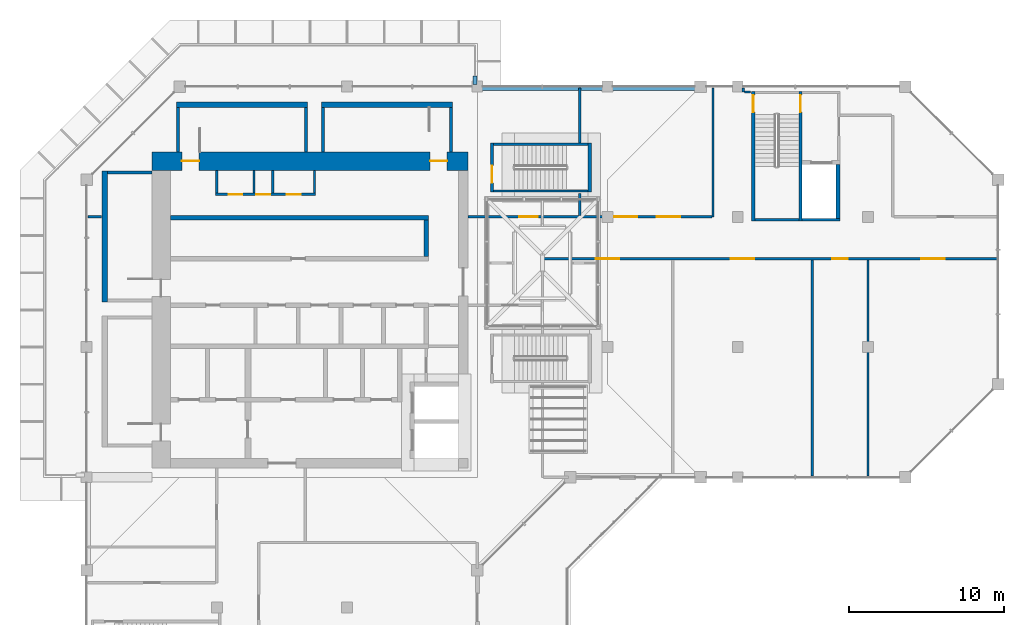
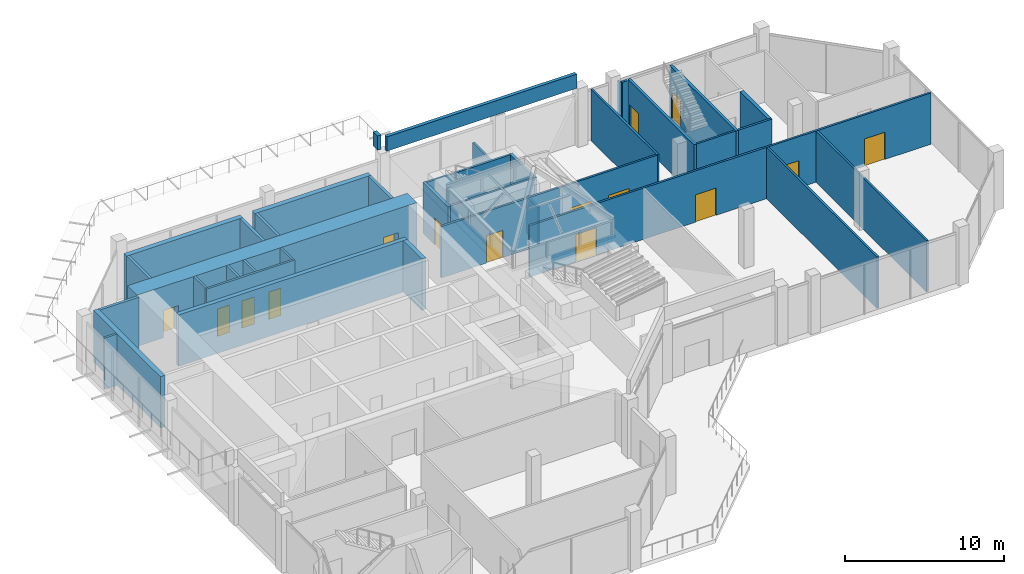
# One storey, part 10 of 15: 37 walls, 15 doors, 15 openings.
"""IFC4 building model written with IfcOpenShell, lengths in metres."""

from ifc_helpers import new_model, si_unit, direction, frame, frame_2d, origin, place, context, subcontext, project, spatial, rectangle, extrude, material, layer, layer_set, type_object, element, fill, save


model = new_model("IFC4")

# Units and contexts
model_context = context("Model", 3, precision=1e-05, world=origin(), true_north=direction((0.0, 1.0)))
body_context = subcontext(model_context, "Body", "Model", "MODEL_VIEW")
ifc_project = project(units=[si_unit("LENGTHUNIT", "METRE"), si_unit("AREAUNIT", "SQUARE_METRE"), si_unit("VOLUMEUNIT", "CUBIC_METRE"), si_unit("PLANEANGLEUNIT", "RADIAN"), si_unit("MASSUNIT", "GRAM", prefix="KILO")], contexts=[model_context])

# Site, building, storey
site_placement = place(None, origin())
site = spatial("IfcSite", under=ifc_project, at=site_placement, CompositionType="ELEMENT")
building_placement = place(site_placement, origin())
building = spatial("IfcBuilding", under=site, at=building_placement, Name="Kawkab Arch Medical Tower", CompositionType="ELEMENT")
storey_placement = place(building_placement, frame((0.0, 0.0, 332.199951171875)))
storey = spatial("IfcBuildingStorey", under=building, at=storey_placement, Name="L77", CompositionType="ELEMENT", Elevation=332.199951171875)

# Wall, openings, doors
ifc_material_1 = material(Name="Concrete C40/50", Category="concrete")
ifc_layer_1 = layer(ifc_material_1, 1.199951171875)
ifc_layer_set_1 = layer_set([ifc_layer_1], Name="Concrete C40/50")
wall_type_1 = type_object("IfcWallType", Name="Core ring wall 1200 C40/50", PredefinedType="SHEAR", material=ifc_layer_set_1)
wall_1_placement = place(storey_placement, frame((4.199951171875, -4.800048828125, 0.0), z_axis=(0.0, 0.0, 1.0), x_axis=(1.0, 0.0, 0.0)))
wall_1 = element("IfcWall", 1, at=wall_1_placement, inside=storey, type_object=wall_type_1, Name="L77 core wall", PredefinedType="SHEAR", context=body_context, shape_type="SweptSolid", body=[
    extrude(rectangle(XDim=20.400146484375, YDim=1.199951171875, at=frame_2d((10.2001953125, 0.0))), origin(), (0.0, 0.0, 1.0), 3.949951171875),
])
opening_1_placement = place(wall_1_placement, frame((1.949951171875, 0.0, 0.0)))
opening_1 = element("IfcOpeningElement", 2, at=opening_1_placement, cuts=wall_1, Name="Opening SD", PredefinedType="OPENING", context=body_context, shape_type="SweptSolid", body=[
    extrude(rectangle(XDim=1.10009765625, YDim=2.10009765625, at=frame_2d((0.550048828125, 1.050048828125))), frame((0.0, 0.60986328125, 0.0), z_axis=(0.0, -1.0, 0.0), x_axis=(1.0, 0.0, 0.0)), (0.0, 0.0, 1.0), 1.219970703125),
])
opening_2_placement = place(wall_1_placement, frame((17.949951171875, 0.0, 0.0)))
opening_2 = element("IfcOpeningElement", 3, at=opening_2_placement, cuts=wall_1, Name="Opening SD", PredefinedType="OPENING", context=body_context, shape_type="SweptSolid", body=[
    extrude(rectangle(XDim=1.10009765625, YDim=2.10009765625, at=frame_2d((0.550048828125, 1.050048828125))), frame((0.0, 0.60986328125, 0.0), z_axis=(0.0, -1.0, 0.0), x_axis=(1.0, 0.0, 0.0)), (0.0, 0.0, 1.0), 1.219970703125),
])
ifc_material_2 = material(Name="Hollow metal fire door leaf")
door_type_1 = type_object("IfcDoorType", Name="Exit stair door 1100", OperationType="SINGLE_SWING_LEFT", PredefinedType="DOOR", material=ifc_material_2)
door_1_placement = place(opening_1_placement, origin())
door_1 = element("IfcDoor", 4, at=door_1_placement, inside=storey, type_object=door_type_1, Name="L77 Exit stair ST3 door", OperationType="SINGLE_SWING_LEFT", OverallHeight=2.10009765625, OverallWidth=1.10009765625, PredefinedType="DOOR", context=body_context, shape_type="SweptSolid", body=[
    extrude(rectangle(XDim=1.10009765625, YDim=2.10009765625, at=frame_2d((0.550048828125, 1.050048828125))), frame((0.0, 0.02490234375, 0.0), z_axis=(0.0, -1.0, 0.0), x_axis=(1.0, 0.0, 0.0)), (0.0, 0.0, 1.0), 0.050048828125),
])
fill(opening_1, door_1)
door_2_placement = place(opening_2_placement, origin())
door_2 = element("IfcDoor", 5, at=door_2_placement, inside=storey, type_object=door_type_1, Name="L77 Exit stair ST4 door", OperationType="SINGLE_SWING_LEFT", OverallHeight=2.10009765625, OverallWidth=1.10009765625, PredefinedType="DOOR", context=body_context, shape_type="SweptSolid", body=[
    extrude(rectangle(XDim=1.10009765625, YDim=2.10009765625, at=frame_2d((0.550048828125, 1.050048828125))), frame((0.0, 0.02490234375, 0.0), z_axis=(0.0, -1.0, 0.0), x_axis=(1.0, 0.0, 0.0)), (0.0, 0.0, 1.0), 0.050048828125),
])
fill(opening_2, door_2)

ifc_material_3 = material(Name="Gypsum board on steel studs", Category="steel")
ifc_layer_2 = layer(ifc_material_3, 0.14990234375)
ifc_layer_set_2 = layer_set([ifc_layer_2], Name="Gypsum board on steel studs")
wall_type_2 = type_object("IfcWallType", Name="Core room partition 150", PredefinedType="PARTITIONING", material=ifc_layer_set_2)
wall_2_placement = place(storey_placement, frame((8.324951171875, -6.949951171875, 0.0), z_axis=(0.0, 0.0, 1.0), x_axis=(1.0, 0.0, 0.0)))
wall_2 = element("IfcWall", 6, at=wall_2_placement, inside=storey, type_object=wall_type_2, Name="L77 core room partition", PredefinedType="PARTITIONING", context=body_context, shape_type="SweptSolid", body=[
    extrude(rectangle(XDim=6.449951171875, YDim=0.14990234375, at=frame_2d((3.22509765625, 0.0))), origin(), (0.0, 0.0, 1.0), 3.949951171875),
])
opening_3_placement = place(wall_2_placement, frame((0.824951171875, 0.0, 0.0)))
opening_3 = element("IfcOpeningElement", 7, at=opening_3_placement, cuts=wall_2, Name="Opening RD", PredefinedType="OPENING", context=body_context, shape_type="SweptSolid", body=[
    extrude(rectangle(XDim=0.89990234375, YDim=2.10009765625, at=frame_2d((0.449951171875, 1.050048828125))), frame((0.0, 0.0849609375, 0.0), z_axis=(0.0, -1.0, 0.0), x_axis=(1.0, 0.0, 0.0)), (0.0, 0.0, 1.0), 0.169921875),
])
opening_4_placement = place(wall_2_placement, frame((2.625, 0.0, 0.0)))
opening_4 = element("IfcOpeningElement", 8, at=opening_4_placement, cuts=wall_2, Name="Opening RD", PredefinedType="OPENING", context=body_context, shape_type="SweptSolid", body=[
    extrude(rectangle(XDim=0.89990234375, YDim=2.10009765625, at=frame_2d((0.449951171875, 1.050048828125))), frame((0.0, 0.0849609375, 0.0), z_axis=(0.0, -1.0, 0.0), x_axis=(1.0, 0.0, 0.0)), (0.0, 0.0, 1.0), 0.169921875),
])
opening_5_placement = place(wall_2_placement, frame((4.574951171875, 0.0, 0.0)))
opening_5 = element("IfcOpeningElement", 9, at=opening_5_placement, cuts=wall_2, Name="Opening RD", PredefinedType="OPENING", context=body_context, shape_type="SweptSolid", body=[
    extrude(rectangle(XDim=0.89990234375, YDim=2.10009765625, at=frame_2d((0.449951171875, 1.050048828125))), frame((0.0, 0.0849609375, 0.0), z_axis=(0.0, -1.0, 0.0), x_axis=(1.0, 0.0, 0.0)), (0.0, 0.0, 1.0), 0.169921875),
])
ifc_material_4 = material(Name="Hollow metal fire door leaf")
door_type_2 = type_object("IfcDoorType", Name="Core room door 900", OperationType="SINGLE_SWING_LEFT", PredefinedType="DOOR", material=ifc_material_4)
door_3_placement = place(opening_3_placement, origin())
door_3 = element("IfcDoor", 10, at=door_3_placement, inside=storey, type_object=door_type_2, Name="L77 Housekeeping store door", OperationType="SINGLE_SWING_LEFT", OverallHeight=2.10009765625, OverallWidth=0.89990234375, PredefinedType="DOOR", context=body_context, shape_type="SweptSolid", body=[
    extrude(rectangle(XDim=0.89990234375, YDim=2.10009765625, at=frame_2d((0.449951171875, 1.050048828125))), frame((0.0, 0.02490234375, 0.0), z_axis=(0.0, -1.0, 0.0), x_axis=(1.0, 0.0, 0.0)), (0.0, 0.0, 1.0), 0.050048828125),
])
fill(opening_3, door_3)
door_4_placement = place(opening_4_placement, origin())
door_4 = element("IfcDoor", 11, at=door_4_placement, inside=storey, type_object=door_type_2, Name="L77 Electrical riser room door", OperationType="SINGLE_SWING_LEFT", OverallHeight=2.10009765625, OverallWidth=0.89990234375, PredefinedType="DOOR", context=body_context, shape_type="SweptSolid", body=[
    extrude(rectangle(XDim=0.89990234375, YDim=2.10009765625, at=frame_2d((0.449951171875, 1.050048828125))), frame((0.0, 0.02490234375, 0.0), z_axis=(0.0, -1.0, 0.0), x_axis=(1.0, 0.0, 0.0)), (0.0, 0.0, 1.0), 0.050048828125),
])
fill(opening_4, door_4)
door_5_placement = place(opening_5_placement, origin())
door_5 = element("IfcDoor", 12, at=door_5_placement, inside=storey, type_object=door_type_2, Name="L77 Equipment store door", OperationType="SINGLE_SWING_LEFT", OverallHeight=2.10009765625, OverallWidth=0.89990234375, PredefinedType="DOOR", context=body_context, shape_type="SweptSolid", body=[
    extrude(rectangle(XDim=0.89990234375, YDim=2.10009765625, at=frame_2d((0.449951171875, 1.050048828125))), frame((0.0, 0.02490234375, 0.0), z_axis=(0.0, -1.0, 0.0), x_axis=(1.0, 0.0, 0.0)), (0.0, 0.0, 1.0), 0.050048828125),
])
fill(opening_5, door_5)

# Walls
for number, where, z_axis, x_axis, name in (
    (13, (8.39990234375, -6.875, 0.0), (0.0, 0.0, 1.0), (0.0, 1.0, 0.0), "L77 core room partition"),
    (14, (10.800048828125, -6.875, 0.0), (0.0, 0.0, 1.0), (0.0, 1.0, 0.0), "L77 core room partition"),
    (15, (12.0, -6.875, 0.0), (0.0, 0.0, 1.0), (0.0, 1.0, 0.0), "L77 core room partition"),
    (16, (14.699951171875, -6.875, 0.0), (0.0, 0.0, 1.0), (0.0, 1.0, 0.0), "L77 core room partition"),
):
    element("IfcWall", number, at=place(storey_placement, frame(where, z_axis=z_axis, x_axis=x_axis)), inside=storey, type_object=wall_type_2, Name=name, PredefinedType="PARTITIONING", context=body_context, shape_type="SweptSolid", body=[
        extrude(rectangle(XDim=1.47509765625, YDim=0.14990234375, at=frame_2d((0.737548828125, 0.0))), origin(), (0.0, 0.0, 1.0), 3.949951171875),
    ])
ifc_material_5 = material(Name="Concrete C60/75", Category="concrete")
ifc_layer_3 = layer(ifc_material_5, 0.25)
ifc_layer_set_3 = layer_set([ifc_layer_3], Name="Concrete C60/75")
wall_type_3 = type_object("IfcWallType", Name="Core shear wall 250 C60/75", PredefinedType="SHEAR", material=ifc_layer_set_3)
wall_3_placement = place(storey_placement, frame((48.47509765625, -8.5, 0.0), z_axis=(0.0, 0.0, 1.0), x_axis=(0.0, 1.0, 0.0)))
element("IfcWall", 17, at=wall_3_placement, inside=storey, type_object=wall_type_3, Name="L77 core shear wall", PredefinedType="SHEAR", context=body_context, shape_type="SweptSolid", body=[
    extrude(rectangle(XDim=3.47509765625, YDim=0.25, at=frame_2d((1.737548828125, 0.0))), origin(), (0.0, 0.0, 1.0), 3.949951171875),
])
ifc_material_6 = material(Name="Concrete C60/75", Category="concrete")
ifc_layer_4 = layer(ifc_material_6, 0.300048828125)
ifc_layer_set_4 = layer_set([ifc_layer_4], Name="Concrete C60/75")
wall_type_4 = type_object("IfcWallType", Name="Core shear wall 300 C60/75", PredefinedType="SHEAR", material=ifc_layer_set_4)
wall_4_placement = place(storey_placement, frame((5.39990234375, -8.449951171875, 0.0), z_axis=(0.0, 0.0, 1.0), x_axis=(1.0, 0.0, 0.0)))
element("IfcWall", 18, at=wall_4_placement, inside=storey, type_object=wall_type_4, Name="L77 core shear wall", PredefinedType="SHEAR", context=body_context, shape_type="SweptSolid", body=[
    extrude(rectangle(XDim=16.650146484375, YDim=0.300048828125, at=frame_2d((8.3251953125, 0.0))), origin(), (0.0, 0.0, 1.0), 3.949951171875),
])
wall_5_placement = place(storey_placement, frame((21.89990234375, -10.949951171875, 0.0), z_axis=(0.0, 0.0, 1.0), x_axis=(0.0, 1.0, 0.0)))
element("IfcWall", 19, at=wall_5_placement, inside=storey, type_object=wall_type_4, Name="L77 core shear wall", PredefinedType="SHEAR", context=body_context, shape_type="SweptSolid", body=[
    extrude(rectangle(XDim=2.349853515625, YDim=0.300048828125, at=frame_2d((1.1748046875, 0.0))), origin(), (0.0, 0.0, 1.0), 3.949951171875),
])
ifc_material_7 = material(Name="Bronze clad insulated wall panel")
ifc_layer_5 = layer(ifc_material_7, 0.25)
ifc_layer_set_5 = layer_set([ifc_layer_5], Name="Bronze clad insulated wall panel")
wall_type_5 = type_object("IfcWallType", Name="Crown parapet 250", PredefinedType="SOLIDWALL", material=ifc_layer_set_5)
wall_6_placement = place(storey_placement, frame((25.375, -0.125, 4.5), z_axis=(0.0, 0.0, 1.0), x_axis=(1.0, 0.0, 0.0)))
element("IfcWall", 20, at=wall_6_placement, inside=storey, type_object=wall_type_5, Name="Parapet, helipad lobby wing 3", PredefinedType="SOLIDWALL", context=body_context, shape_type="SweptSolid", body=[
    extrude(rectangle(XDim=13.8525390625, YDim=0.25, at=frame_2d((6.92626953125, 0.0))), origin(), (0.0, 0.0, 1.0), 1.10009765625),
])
wall_7_placement = place(storey_placement, frame((25.050048828125, 0.68310546875, 4.5), z_axis=(0.0, 0.0, 1.0), x_axis=(0.0, -1.0, 0.0)))
element("IfcWall", 21, at=wall_7_placement, inside=storey, type_object=wall_type_5, Name="Helideck parapet 2", PredefinedType="SOLIDWALL", context=body_context, shape_type="SweptSolid", body=[
    extrude(rectangle(XDim=0.551025390625, YDim=0.25, at=frame_2d((0.275390625, 0.0))), origin(), (0.0, 0.0, 1.0), 1.10009765625),
])

# Wall, openings, doors
ifc_material_8 = material(Name="Gypsum board partition on steel studs, mineral wool", Category="steel")
ifc_layer_6 = layer(ifc_material_8, 0.14990234375)
ifc_layer_set_6 = layer_set([ifc_layer_6], Name="Gypsum board partition on steel studs, mineral wool")
wall_type_6 = type_object("IfcWallType", Name="Partition 150", PredefinedType="PARTITIONING", material=ifc_layer_set_6)
wall_8_placement = place(storey_placement, frame((29.47509765625, -11.10009765625, 0.0), z_axis=(0.0, 0.0, 1.0), x_axis=(1.0, 0.0, 0.0)))
wall_8 = element("IfcWall", 22, at=wall_8_placement, inside=storey, type_object=wall_type_6, Name="Partition 150 w007", PredefinedType="PARTITIONING", context=body_context, shape_type="SweptSolid", body=[
    extrude(rectangle(XDim=29.244873046875, YDim=0.14990234375, at=frame_2d((14.62255859375, 0.0))), origin(), (0.0, 0.0, 1.0), 3.949951171875),
])
opening_6_placement = place(wall_8_placement, frame((3.375, 0.0, 0.0)))
opening_6 = element("IfcOpeningElement", 23, at=opening_6_placement, cuts=wall_8, Name="Opening H77-001", PredefinedType="OPENING", context=body_context, shape_type="SweptSolid", body=[
    extrude(rectangle(XDim=1.5, YDim=2.10009765625, at=frame_2d((0.75, 1.050048828125))), frame((0.0, 0.0849609375, 0.0), z_axis=(0.0, -1.0, 0.0), x_axis=(1.0, 0.0, 0.0)), (0.0, 0.0, 1.0), 0.169921875),
])
opening_7_placement = place(wall_8_placement, frame((12.074951171875, 0.0, 0.0)))
opening_7 = element("IfcOpeningElement", 24, at=opening_7_placement, cuts=wall_8, Name="Opening H77-002", PredefinedType="OPENING", context=body_context, shape_type="SweptSolid", body=[
    extrude(rectangle(XDim=1.5, YDim=2.10009765625, at=frame_2d((0.75, 1.050048828125))), frame((0.0, 0.0849609375, 0.0), z_axis=(0.0, -1.0, 0.0), x_axis=(1.0, 0.0, 0.0)), (0.0, 0.0, 1.0), 0.169921875),
])
opening_8_placement = place(wall_8_placement, frame((18.625, 0.0, 0.0)))
opening_8 = element("IfcOpeningElement", 25, at=opening_8_placement, cuts=wall_8, Name="Opening H77-010", PredefinedType="OPENING", context=body_context, shape_type="SweptSolid", body=[
    extrude(rectangle(XDim=1.0, YDim=2.10009765625, at=frame_2d((0.5, 1.050048828125))), frame((0.0, 0.0849609375, 0.0), z_axis=(0.0, -1.0, 0.0), x_axis=(1.0, 0.0, 0.0)), (0.0, 0.0, 1.0), 0.169921875),
])
opening_9_placement = place(wall_8_placement, frame((24.375, 0.0, 0.0)))
opening_9 = element("IfcOpeningElement", 26, at=opening_9_placement, cuts=wall_8, Name="Opening H77-003", PredefinedType="OPENING", context=body_context, shape_type="SweptSolid", body=[
    extrude(rectangle(XDim=1.5, YDim=2.10009765625, at=frame_2d((0.75, 1.050048828125))), frame((0.0, 0.0849609375, 0.0), z_axis=(0.0, -1.0, 0.0), x_axis=(1.0, 0.0, 0.0)), (0.0, 0.0, 1.0), 0.169921875),
])
ifc_material_9 = material(Name="Hollow metal door leaf")
door_type_3 = type_object("IfcDoorType", Name="Double door 1500x2100 FD30S", OperationType="NOTDEFINED", PredefinedType="DOOR", material=ifc_material_9)
door_6_placement = place(opening_6_placement, origin())
door_6 = element("IfcDoor", 27, at=door_6_placement, inside=storey, type_object=door_type_3, Name="Door H77-001", OperationType="DOUBLE_DOOR_SINGLE_SWING", OverallHeight=2.10009765625, OverallWidth=1.5, PredefinedType="DOOR", context=body_context, shape_type="SweptSolid", body=[
    extrude(rectangle(XDim=1.5, YDim=2.10009765625, at=frame_2d((0.75, 1.050048828125))), frame((0.0, 0.02490234375, 0.0), z_axis=(0.0, -1.0, 0.0), x_axis=(1.0, 0.0, 0.0)), (0.0, 0.0, 1.0), 0.050048828125),
])
fill(opening_6, door_6)
door_7_placement = place(opening_7_placement, origin())
door_7 = element("IfcDoor", 28, at=door_7_placement, inside=storey, type_object=door_type_3, Name="Door H77-002", OperationType="DOUBLE_DOOR_SINGLE_SWING", OverallHeight=2.10009765625, OverallWidth=1.5, PredefinedType="DOOR", context=body_context, shape_type="SweptSolid", body=[
    extrude(rectangle(XDim=1.5, YDim=2.10009765625, at=frame_2d((0.75, 1.050048828125))), frame((0.0, 0.02490234375, 0.0), z_axis=(0.0, -1.0, 0.0), x_axis=(1.0, 0.0, 0.0)), (0.0, 0.0, 1.0), 0.050048828125),
])
fill(opening_7, door_7)
door_8_placement = place(opening_9_placement, origin())
door_8 = element("IfcDoor", 29, at=door_8_placement, inside=storey, type_object=door_type_3, Name="Door H77-003", OperationType="DOUBLE_DOOR_SINGLE_SWING", OverallHeight=2.10009765625, OverallWidth=1.5, PredefinedType="DOOR", context=body_context, shape_type="SweptSolid", body=[
    extrude(rectangle(XDim=1.5, YDim=2.10009765625, at=frame_2d((0.75, 1.050048828125))), frame((0.0, 0.02490234375, 0.0), z_axis=(0.0, -1.0, 0.0), x_axis=(1.0, 0.0, 0.0)), (0.0, 0.0, 1.0), 0.050048828125),
])
fill(opening_9, door_8)
ifc_material_10 = material(Name="Hollow metal door leaf")
door_type_4 = type_object("IfcDoorType", Name="Single door 1000x2100 FD30S", OperationType="NOTDEFINED", PredefinedType="DOOR", material=ifc_material_10)
door_9_placement = place(opening_8_placement, origin())
door_9 = element("IfcDoor", 30, at=door_9_placement, inside=storey, type_object=door_type_4, Name="Door H77-010", OperationType="SINGLE_SWING_LEFT", OverallHeight=2.10009765625, OverallWidth=1.0, PredefinedType="DOOR", context=body_context, shape_type="SweptSolid", body=[
    extrude(rectangle(XDim=1.0, YDim=2.10009765625, at=frame_2d((0.5, 1.050048828125))), frame((0.0, 0.02490234375, 0.0), z_axis=(0.0, -1.0, 0.0), x_axis=(1.0, 0.0, 0.0)), (0.0, 0.0, 1.0), 0.050048828125),
])
fill(opening_8, door_9)

# Wall
wall_9_placement = place(storey_placement, frame((0.080078125, -8.39990234375, 0.0), z_axis=(0.0, 0.0, 1.0), x_axis=(1.0, 0.0, 0.0)))
element("IfcWall", 31, at=wall_9_placement, inside=storey, type_object=wall_type_6, Name="Partition 150 w008", PredefinedType="PARTITIONING", context=body_context, shape_type="SweptSolid", body=[
    extrude(rectangle(XDim=0.889892578125, YDim=0.14990234375, at=frame_2d((0.44482421875, 0.0))), origin(), (0.0, 0.0, 1.0), 3.949951171875),
])

# Wall, openings, doors
wall_10_placement = place(storey_placement, frame((24.60009765625, -8.39990234375, 0.0), z_axis=(0.0, 0.0, 1.0), x_axis=(1.0, 0.0, 0.0)))
wall_10 = element("IfcWall", 32, at=wall_10_placement, inside=storey, type_object=wall_type_6, Name="Partition 150 w009", PredefinedType="PARTITIONING", context=body_context, shape_type="SweptSolid", body=[
    extrude(rectangle(XDim=15.73193359375, YDim=0.14990234375, at=frame_2d((7.865966796875, 0.0))), origin(), (0.0, 0.0, 1.0), 3.949951171875),
])
opening_10_placement = place(wall_10_placement, frame((3.300048828125, 0.0, 0.0)))
opening_10 = element("IfcOpeningElement", 33, at=opening_10_placement, cuts=wall_10, Name="Opening H77-013", PredefinedType="OPENING", context=body_context, shape_type="SweptSolid", body=[
    extrude(rectangle(XDim=1.199951171875, YDim=2.10009765625, at=frame_2d((0.60009765625, 1.050048828125))), frame((0.0, 0.0849609375, 0.0), z_axis=(0.0, -1.0, 0.0), x_axis=(1.0, 0.0, 0.0)), (0.0, 0.0, 1.0), 0.169921875),
])
opening_11_placement = place(wall_10_placement, frame((9.4189453125, 0.0, 0.0)))
opening_11 = element("IfcOpeningElement", 34, at=opening_11_placement, cuts=wall_10, Name="Opening H77-005", PredefinedType="OPENING", context=body_context, shape_type="SweptSolid", body=[
    extrude(rectangle(XDim=1.5, YDim=2.10009765625, at=frame_2d((0.75, 1.050048828125))), frame((0.0, 0.0849609375, 0.0), z_axis=(0.0, -1.0, 0.0), x_axis=(1.0, 0.0, 0.0)), (0.0, 0.0, 1.0), 0.169921875),
])
opening_12_placement = place(wall_10_placement, frame((12.18798828125, 0.0, 0.0)))
opening_12 = element("IfcOpeningElement", 35, at=opening_12_placement, cuts=wall_10, Name="Opening H77-006", PredefinedType="OPENING", context=body_context, shape_type="SweptSolid", body=[
    extrude(rectangle(XDim=1.5, YDim=2.10009765625, at=frame_2d((0.75, 1.050048828125))), frame((0.0, 0.0849609375, 0.0), z_axis=(0.0, -1.0, 0.0), x_axis=(1.0, 0.0, 0.0)), (0.0, 0.0, 1.0), 0.169921875),
])
door_10_placement = place(opening_11_placement, origin())
door_10 = element("IfcDoor", 36, at=door_10_placement, inside=storey, type_object=door_type_3, Name="Door H77-005", OperationType="DOUBLE_DOOR_SINGLE_SWING", OverallHeight=2.10009765625, OverallWidth=1.5, PredefinedType="DOOR", context=body_context, shape_type="SweptSolid", body=[
    extrude(rectangle(XDim=1.5, YDim=2.10009765625, at=frame_2d((0.75, 1.050048828125))), frame((0.0, 0.02490234375, 0.0), z_axis=(0.0, -1.0, 0.0), x_axis=(1.0, 0.0, 0.0)), (0.0, 0.0, 1.0), 0.050048828125),
])
fill(opening_11, door_10)
door_11_placement = place(opening_12_placement, origin())
door_11 = element("IfcDoor", 37, at=door_11_placement, inside=storey, type_object=door_type_3, Name="Door H77-006", OperationType="DOUBLE_DOOR_SINGLE_SWING", OverallHeight=2.10009765625, OverallWidth=1.5, PredefinedType="DOOR", context=body_context, shape_type="SweptSolid", body=[
    extrude(rectangle(XDim=1.5, YDim=2.10009765625, at=frame_2d((0.75, 1.050048828125))), frame((0.0, 0.02490234375, 0.0), z_axis=(0.0, -1.0, 0.0), x_axis=(1.0, 0.0, 0.0)), (0.0, 0.0, 1.0), 0.050048828125),
])
fill(opening_12, door_11)
ifc_material_11 = material(Name="Hollow metal door leaf")
door_type_5 = type_object("IfcDoorType", Name="Single door 1200x2100 FD30S", OperationType="NOTDEFINED", PredefinedType="DOOR", material=ifc_material_11)
door_12_placement = place(opening_10_placement, origin())
door_12 = element("IfcDoor", 38, at=door_12_placement, inside=storey, type_object=door_type_5, Name="Door H77-013", OperationType="SINGLE_SWING_LEFT", OverallHeight=2.10009765625, OverallWidth=1.199951171875, PredefinedType="DOOR", context=body_context, shape_type="SweptSolid", body=[
    extrude(rectangle(XDim=1.199951171875, YDim=2.10009765625, at=frame_2d((0.60009765625, 1.050048828125))), frame((0.0, 0.02490234375, 0.0), z_axis=(0.0, -1.0, 0.0), x_axis=(1.0, 0.0, 0.0)), (0.0, 0.0, 1.0), 0.050048828125),
])
fill(opening_10, door_12)

# Walls
wall_11_placement = place(storey_placement, frame((42.426025390625, -0.35009765625, 0.0), z_axis=(0.0, 0.0, 1.0), x_axis=(1.0, 0.0, 0.0)))
element("IfcWall", 39, at=wall_11_placement, inside=storey, type_object=wall_type_6, Name="Partition 150 w012", PredefinedType="PARTITIONING", context=body_context, shape_type="SweptSolid", body=[
    extrude(rectangle(XDim=0.39404296875, YDim=0.14990234375, at=frame_2d((0.197021484375, 0.0))), origin(), (0.0, 0.0, 1.0), 3.949951171875),
])
wall_12_placement = place(storey_placement, frame((31.800048828125, -8.324951171875, 0.0), z_axis=(0.0, 0.0, 1.0), x_axis=(0.0, 1.0, 0.0)))
element("IfcWall", 40, at=wall_12_placement, inside=storey, type_object=wall_type_6, Name="Partition 150 w019", PredefinedType="PARTITIONING", context=body_context, shape_type="SweptSolid", body=[
    extrude(rectangle(XDim=1.445068359375, YDim=0.14990234375, at=frame_2d((0.72265625, 0.0))), origin(), (0.0, 0.0, 1.0), 2.85009765625),
])
wall_13_placement = place(storey_placement, frame((31.800048828125, -3.64990234375, 0.0), z_axis=(0.0, 0.0, 1.0), x_axis=(0.0, 1.0, 0.0)))
element("IfcWall", 41, at=wall_13_placement, inside=storey, type_object=wall_type_6, Name="Partition 150 w020", PredefinedType="PARTITIONING", context=body_context, shape_type="SweptSolid", body=[
    extrude(rectangle(XDim=3.56982421875, YDim=0.14990234375, at=frame_2d((1.784912109375, 0.0))), origin(), (0.0, 0.0, 1.0), 2.85009765625),
])
wall_14_placement = place(storey_placement, frame((40.406982421875, -8.39990234375, 0.0), z_axis=(0.0, 0.0, 1.0), x_axis=(0.0, 1.0, 0.0)))
element("IfcWall", 42, at=wall_14_placement, inside=storey, type_object=wall_type_6, Name="Partition 150 w022", PredefinedType="PARTITIONING", context=body_context, shape_type="SweptSolid", body=[
    extrude(rectangle(XDim=8.31982421875, YDim=0.14990234375, at=frame_2d((4.159912109375, 0.0))), origin(), (0.0, 0.0, 1.0), 3.949951171875),
])
wall_15_placement = place(storey_placement, frame((42.35009765625, -0.347900390625, 0.0), z_axis=(0.0, 0.0, 1.0), x_axis=(0.0, 1.0, 0.0)))
element("IfcWall", 43, at=wall_15_placement, inside=storey, type_object=wall_type_6, Name="Partition 150 w023", PredefinedType="PARTITIONING", context=body_context, shape_type="SweptSolid", body=[
    extrude(rectangle(XDim=0.267822265625, YDim=0.14990234375, at=frame_2d((0.1337890625, 0.0))), origin(), (0.0, 0.0, 1.0), 3.949951171875),
])
for number, where, z_axis, x_axis, name in (
    (44, (46.800048828125, -25.1201171875, 0.0), (0.0, 0.0, 1.0), (0.0, 1.0, 0.0), "Partition 150 w024"),
    (45, (50.39990234375, -25.1201171875, 0.0), (0.0, 0.0, 1.0), (0.0, 1.0, 0.0), "Partition 150 w025"),
):
    element("IfcWall", number, at=place(storey_placement, frame(where, z_axis=z_axis, x_axis=x_axis)), inside=storey, type_object=wall_type_6, Name=name, PredefinedType="PARTITIONING", context=body_context, shape_type="SweptSolid", body=[
        extrude(rectangle(XDim=13.945068359375, YDim=0.14990234375, at=frame_2d((6.97265625, 0.0))), origin(), (0.0, 0.0, 1.0), 3.949951171875),
    ])
ifc_material_12 = material(Name="Concrete C50/60", Category="concrete")
ifc_layer_7 = layer(ifc_material_12, 0.14990234375)
ifc_layer_set_7 = layer_set([ifc_layer_7], Name="Concrete C50/60")
wall_type_7 = type_object("IfcWallType", Name="Stair enclosure wall 150 C50/60", PredefinedType="SHEAR", material=ifc_layer_set_7)
wall_16_placement = place(storey_placement, frame((43.10009765625, -8.574951171875, 0.0), z_axis=(0.0, 0.0, 1.0), x_axis=(1.0, 0.0, 0.0)))
element("IfcWall", 46, at=wall_16_placement, inside=storey, type_object=wall_type_7, Name="L77 stair enclosure wall", PredefinedType="SHEAR", context=body_context, shape_type="SweptSolid", body=[
    extrude(rectangle(XDim=2.849853515625, YDim=0.14990234375, at=frame_2d((1.4248046875, 0.0))), origin(), (0.0, 0.0, 1.0), 3.949951171875),
])
wall_17_placement = place(storey_placement, frame((46.14990234375, -8.574951171875, 0.0), z_axis=(0.0, 0.0, 1.0), x_axis=(1.0, 0.0, 0.0)))
element("IfcWall", 47, at=wall_17_placement, inside=storey, type_object=wall_type_7, Name="L77 stair enclosure wall", PredefinedType="SHEAR", context=body_context, shape_type="SweptSolid", body=[
    extrude(rectangle(XDim=2.4501953125, YDim=0.14990234375, at=frame_2d((1.22509765625, 0.0))), origin(), (0.0, 0.0, 1.0), 3.949951171875),
])
for number, where, z_axis, x_axis, name in (
    (48, (26.25, -3.72509765625, 0.0), (0.0, 0.0, 1.0), (1.0, 0.0, 0.0), "L77 stair enclosure wall"),
    (49, (26.25, -6.72509765625, 0.0), (0.0, 0.0, 1.0), (1.0, 0.0, 0.0), "L77 stair enclosure wall"),
):
    element("IfcWall", number, at=place(storey_placement, frame(where, z_axis=z_axis, x_axis=x_axis)), inside=storey, type_object=wall_type_7, Name=name, PredefinedType="SHEAR", context=body_context, shape_type="SweptSolid", body=[
        extrude(rectangle(XDim=6.10009765625, YDim=0.14990234375, at=frame_2d((3.050048828125, 0.0))), origin(), (0.0, 0.0, 1.0), 3.949951171875),
    ])
ifc_material_13 = material(Name="Concrete C50/60", Category="concrete")
ifc_layer_8 = layer(ifc_material_13, 0.199951171875)
ifc_layer_set_8 = layer_set([ifc_layer_8], Name="Concrete C50/60")
wall_type_8 = type_object("IfcWallType", Name="Stair enclosure wall 200 C50/60", PredefinedType="SHEAR", material=ifc_layer_set_8)
for number, where, z_axis, x_axis, name in (
    (50, (1.35009765625, -5.550048828125, 0.0), (0.0, 0.0, 1.0), (1.0, 0.0, 0.0), "L77 stair enclosure wall"),
    (51, (5.89990234375, -4.199951171875, 0.0), (0.0, 0.0, 1.0), (0.0, 1.0, 0.0), "L77 stair enclosure wall"),
    (52, (14.14990234375, -4.199951171875, 0.0), (0.0, 0.0, 1.0), (0.0, 1.0, 0.0), "L77 stair enclosure wall"),
    (53, (15.25, -4.199951171875, 0.0), (0.0, 0.0, 1.0), (0.0, 1.0, 0.0), "L77 stair enclosure wall"),
    (54, (23.5, -4.199951171875, 0.0), (0.0, 0.0, 1.0), (0.0, 1.0, 0.0), "L77 stair enclosure wall"),
):
    element("IfcWall", number, at=place(storey_placement, frame(where, z_axis=z_axis, x_axis=x_axis)), inside=storey, type_object=wall_type_8, Name=name, PredefinedType="SHEAR", context=body_context, shape_type="SweptSolid", body=[
        extrude(rectangle(XDim=2.849853515625, YDim=0.199951171875, at=frame_2d((1.4248046875, 0.0))), origin(), (0.0, 0.0, 1.0), 3.949951171875),
    ])

# Wall, opening, door
wall_18_placement = place(storey_placement, frame((43.0, -8.64990234375, 0.0), z_axis=(0.0, 0.0, 1.0), x_axis=(0.0, 1.0, 0.0)))
wall_18 = element("IfcWall", 55, at=wall_18_placement, inside=storey, type_object=wall_type_8, Name="L77 stair enclosure wall", PredefinedType="SHEAR", context=body_context, shape_type="SweptSolid", body=[
    extrude(rectangle(XDim=8.349853515625, YDim=0.199951171875, at=frame_2d((4.1748046875, 0.0))), origin(), (0.0, 0.0, 1.0), 3.949951171875),
])
opening_13_placement = place(wall_18_placement, frame((7.0, 0.0, 0.0)))
opening_13 = element("IfcOpeningElement", 56, at=opening_13_placement, cuts=wall_18, Name="Opening SD", PredefinedType="OPENING", context=body_context, shape_type="SweptSolid", body=[
    extrude(rectangle(XDim=1.10009765625, YDim=2.10009765625, at=frame_2d((0.550048828125, 1.050048828125))), frame((0.0, 0.10986328125, 0.0), z_axis=(0.0, -1.0, 0.0), x_axis=(1.0, 0.0, 0.0)), (0.0, 0.0, 1.0), 0.219970703125),
])
door_13_placement = place(opening_13_placement, frame((1.10009765625, 0.0, 0.0), z_axis=(0.0, 0.0, 1.0), x_axis=(-1.0, 0.0, 0.0)))
door_13 = element("IfcDoor", 57, at=door_13_placement, inside=storey, type_object=door_type_1, Name="L77 Exit stair ST5 door", OperationType="SINGLE_SWING_LEFT", OverallHeight=2.10009765625, OverallWidth=1.10009765625, PredefinedType="DOOR", context=body_context, shape_type="SweptSolid", body=[
    extrude(rectangle(XDim=1.10009765625, YDim=2.10009765625, at=frame_2d((0.550048828125, 1.050048828125))), frame((0.0, 0.02490234375, 0.0), z_axis=(0.0, -1.0, 0.0), x_axis=(1.0, 0.0, 0.0)), (0.0, 0.0, 1.0), 0.050048828125),
])
fill(opening_13, door_13)

wall_19_placement = place(storey_placement, frame((46.050048828125, -8.64990234375, 0.0), z_axis=(0.0, 0.0, 1.0), x_axis=(0.0, 1.0, 0.0)))
wall_19 = element("IfcWall", 58, at=wall_19_placement, inside=storey, type_object=wall_type_8, Name="L77 stair enclosure wall", PredefinedType="SHEAR", context=body_context, shape_type="SweptSolid", body=[
    extrude(rectangle(XDim=8.349853515625, YDim=0.199951171875, at=frame_2d((4.1748046875, 0.0))), origin(), (0.0, 0.0, 1.0), 3.949951171875),
])
opening_14_placement = place(wall_19_placement, frame((7.0, 0.0, 0.0)))
opening_14 = element("IfcOpeningElement", 59, at=opening_14_placement, cuts=wall_19, Name="Opening SD", PredefinedType="OPENING", context=body_context, shape_type="SweptSolid", body=[
    extrude(rectangle(XDim=1.10009765625, YDim=2.10009765625, at=frame_2d((0.550048828125, 1.050048828125))), frame((0.0, 0.10986328125, 0.0), z_axis=(0.0, -1.0, 0.0), x_axis=(1.0, 0.0, 0.0)), (0.0, 0.0, 1.0), 0.219970703125),
])
door_14_placement = place(opening_14_placement, origin())
door_14 = element("IfcDoor", 60, at=door_14_placement, inside=storey, type_object=door_type_1, Name="L77 Exit stair ST5 lobby door", OperationType="SINGLE_SWING_LEFT", OverallHeight=2.10009765625, OverallWidth=1.10009765625, PredefinedType="DOOR", context=body_context, shape_type="SweptSolid", body=[
    extrude(rectangle(XDim=1.10009765625, YDim=2.10009765625, at=frame_2d((0.550048828125, 1.050048828125))), frame((0.0, 0.02490234375, 0.0), z_axis=(0.0, -1.0, 0.0), x_axis=(1.0, 0.0, 0.0)), (0.0, 0.0, 1.0), 0.050048828125),
])
fill(opening_14, door_14)

wall_20_placement = place(storey_placement, frame((26.14990234375, -6.800048828125, 0.0), z_axis=(0.0, 0.0, 1.0), x_axis=(0.0, 1.0, 0.0)))
wall_20 = element("IfcWall", 61, at=wall_20_placement, inside=storey, type_object=wall_type_8, Name="L77 stair enclosure wall", PredefinedType="SHEAR", context=body_context, shape_type="SweptSolid", body=[
    extrude(rectangle(XDim=3.150146484375, YDim=0.199951171875, at=frame_2d((1.5751953125, 0.0))), origin(), (0.0, 0.0, 1.0), 3.949951171875),
])
opening_15_placement = place(wall_20_placement, frame((0.60009765625, 0.0, 0.0)))
opening_15 = element("IfcOpeningElement", 62, at=opening_15_placement, cuts=wall_20, Name="Opening SD", PredefinedType="OPENING", context=body_context, shape_type="SweptSolid", body=[
    extrude(rectangle(XDim=1.10009765625, YDim=2.10009765625, at=frame_2d((0.550048828125, 1.050048828125))), frame((0.0, 0.10986328125, 0.0), z_axis=(0.0, -1.0, 0.0), x_axis=(1.0, 0.0, 0.0)), (0.0, 0.0, 1.0), 0.219970703125),
])
door_15_placement = place(opening_15_placement, origin())
door_15 = element("IfcDoor", 63, at=door_15_placement, inside=storey, type_object=door_type_1, Name="L77 Exit stair DS2 door", OperationType="SINGLE_SWING_LEFT", OverallHeight=2.10009765625, OverallWidth=1.10009765625, PredefinedType="DOOR", context=body_context, shape_type="SweptSolid", body=[
    extrude(rectangle(XDim=1.10009765625, YDim=2.10009765625, at=frame_2d((0.550048828125, 1.050048828125))), frame((0.0, 0.02490234375, 0.0), z_axis=(0.0, -1.0, 0.0), x_axis=(1.0, 0.0, 0.0)), (0.0, 0.0, 1.0), 0.050048828125),
])
fill(opening_15, door_15)

# Walls
wall_21_placement = place(storey_placement, frame((32.449951171875, -6.800048828125, 0.0), z_axis=(0.0, 0.0, 1.0), x_axis=(0.0, 1.0, 0.0)))
element("IfcWall", 64, at=wall_21_placement, inside=storey, type_object=wall_type_8, Name="L77 stair enclosure wall", PredefinedType="SHEAR", context=body_context, shape_type="SweptSolid", body=[
    extrude(rectangle(XDim=3.150146484375, YDim=0.199951171875, at=frame_2d((1.5751953125, 0.0))), origin(), (0.0, 0.0, 1.0), 3.949951171875),
])
ifc_material_14 = material(Name="Concrete C50/60", Category="concrete")
ifc_layer_9 = layer(ifc_material_14, 0.35009765625)
ifc_layer_set_9 = layer_set([ifc_layer_9], Name="Concrete C50/60")
wall_type_9 = type_object("IfcWallType", Name="Stair enclosure wall 350 C50/60", PredefinedType="SHEAR", material=ifc_layer_set_9)
for number, where, z_axis, x_axis, name in (
    (65, (1.175048828125, -13.89990234375, 0.0), (0.0, 0.0, 1.0), (0.0, 1.0, 0.0), "L77 stair enclosure wall"),
    (66, (5.800048828125, -1.175048828125, 0.0), (0.0, 0.0, 1.0), (1.0, 0.0, 0.0), "L77 stair enclosure wall"),
):
    element("IfcWall", number, at=place(storey_placement, frame(where, z_axis=z_axis, x_axis=x_axis)), inside=storey, type_object=wall_type_9, Name=name, PredefinedType="SHEAR", context=body_context, shape_type="SweptSolid", body=[
        extrude(rectangle(XDim=8.449951171875, YDim=0.35009765625, at=frame_2d((4.22509765625, 0.0))), origin(), (0.0, 0.0, 1.0), 3.949951171875),
    ])
wall_22_placement = place(storey_placement, frame((15.14990234375, -1.175048828125, 0.0), z_axis=(0.0, 0.0, 1.0), x_axis=(1.0, 0.0, 0.0)))
element("IfcWall", 67, at=wall_22_placement, inside=storey, type_object=wall_type_9, Name="L77 stair enclosure wall", PredefinedType="SHEAR", context=body_context, shape_type="SweptSolid", body=[
    extrude(rectangle(XDim=8.4501953125, YDim=0.35009765625, at=frame_2d((4.22509765625, 0.0))), origin(), (0.0, 0.0, 1.0), 3.949951171875),
])

save(model, "model.ifc")
